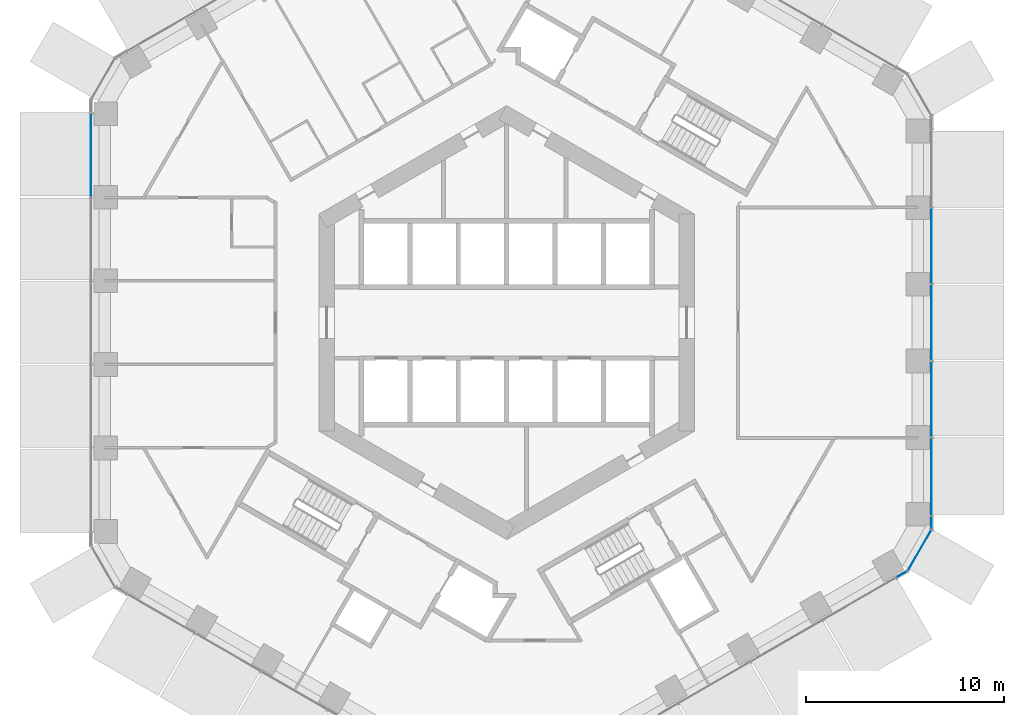
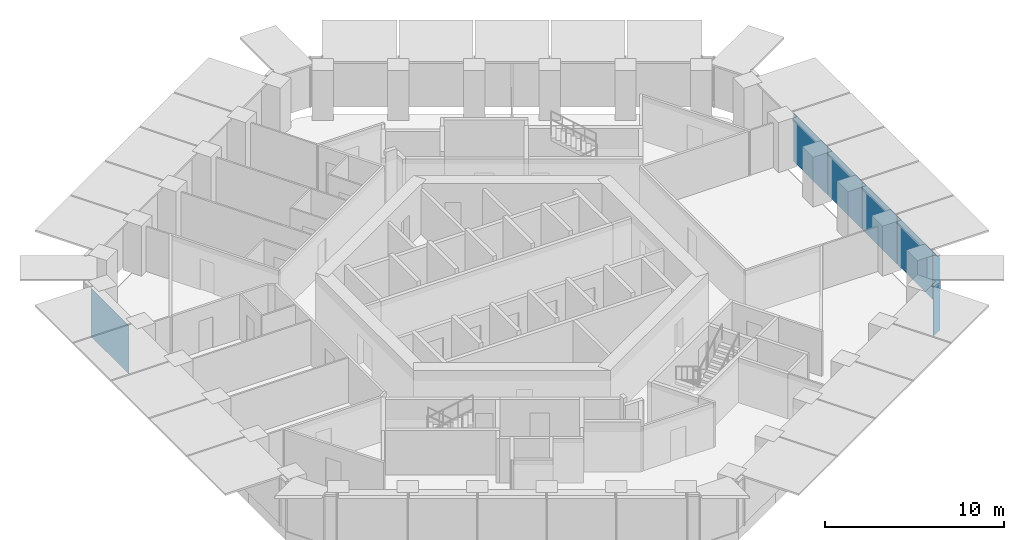
# One storey, part 10 of 19: 8 plates, 3 elements without a shape of their own.
"""IFC4 building model written with IfcOpenShell, lengths in metres."""

from ifc_helpers import new_model, si_unit, direction, frame, origin, origin_2d, place, context, subcontext, project, spatial, rectangle, extrude, material, layer, layer_set, type_object, element, aggregate, save


model = new_model("IFC4")

# Units and contexts
model_context = context("Model", 3, precision=1e-05, world=origin(), true_north=direction((0.0, 1.0)))
body_context = subcontext(model_context, "Body", "Model", "MODEL_VIEW")
ifc_project = project(units=[si_unit("LENGTHUNIT", "METRE"), si_unit("AREAUNIT", "SQUARE_METRE"), si_unit("VOLUMEUNIT", "CUBIC_METRE"), si_unit("PLANEANGLEUNIT", "RADIAN"), si_unit("MASSUNIT", "GRAM", prefix="KILO")], contexts=[model_context])

# Site, building, storey
site_placement = place(None, origin())
site = spatial("IfcSite", under=ifc_project, at=site_placement, CompositionType="ELEMENT")
building_placement = place(site_placement, origin())
building = spatial("IfcBuilding", under=site, at=building_placement, Name="Ayvan Gate Tower", CompositionType="ELEMENT")
storey_placement = place(building_placement, frame((0.0, 0.0, 52.699951171875)))
storey = spatial("IfcBuildingStorey", under=building, at=storey_placement, Name="L13", CompositionType="ELEMENT", Elevation=52.699951171875)

# Curtain wall, plate
ifc_material_1 = material(Name="Bronze anodised aluminium", Category="aluminium")
ifc_layer_1 = layer(ifc_material_1, 0.199951171875)
ifc_layer_set_1 = layer_set([ifc_layer_1], Name="Bronze anodised aluminium")
curtain_wall_type_1 = type_object("IfcCurtainWallType", Name="Stick curtain wall CW-1", PredefinedType="NOTDEFINED", material=ifc_layer_set_1)
curtain_wall_1_placement = place(storey_placement, origin())
curtain_wall_1 = element("IfcCurtainWall", 1, at=curtain_wall_1_placement, inside=storey, type_object=curtain_wall_type_1, Name="Stick curtain wall CW-1 L13", PredefinedType="NOTDEFINED")
ifc_material_2 = material(Name="Clear low-iron laminated glass", Category="glass")
ifc_layer_2 = layer(ifc_material_2, 0.028076171875)
ifc_layer_set_2 = layer_set([ifc_layer_2], Name="Clear low-iron laminated glass")
plate_type_1 = type_object("IfcPlateType", Name="Stick curtain wall CW-1 glass panel", PredefinedType="CURTAIN_PANEL", material=ifc_layer_set_2)
plate_1_placement = place(storey_placement, frame((-21.009765625, 8.484619140625, 0.0), z_axis=(0.0, 0.0, 1.0), x_axis=(0.0, -1.0, 0.0)))
plate_1 = element("IfcPlate", 2, at=plate_1_placement, type_object=plate_type_1, Name="CW-1 glass panel 1", PredefinedType="CURTAIN_PANEL", context=body_context, shape_type="SweptSolid", body=[
    extrude(rectangle(XDim=4.239013671875, YDim=0.028076171875, at=origin_2d()), origin(), (0.0, 0.0, 1.0), 3.280029296875),
])
aggregate(curtain_wall_1, [plate_1])

# Curtain wall, plates
curtain_wall_2_placement = place(storey_placement, origin())
curtain_wall_2 = element("IfcCurtainWall", 3, at=curtain_wall_2_placement, inside=storey, type_object=curtain_wall_type_1, Name="Stick curtain wall CW-1 L13", PredefinedType="NOTDEFINED")
plate_2_placement = place(storey_placement, frame((21.484619140625, -7.811279296875, 0.0), z_axis=(0.0, 0.0, 1.0), x_axis=(0.0, 1.0, 0.0)))
plate_2 = element("IfcPlate", 4, at=plate_2_placement, type_object=plate_type_1, Name="CW-1 glass panel 1", PredefinedType="CURTAIN_PANEL", context=body_context, shape_type="SweptSolid", body=[
    extrude(rectangle(XDim=3.94091796875, YDim=0.028076171875, at=origin_2d()), origin(), (0.0, 0.0, 1.0), 3.280029296875),
])
plate_3_placement = place(storey_placement, frame((21.484619140625, -3.873779296875, 0.0), z_axis=(0.0, 0.0, 1.0), x_axis=(0.0, 1.0, 0.0)))
plate_3 = element("IfcPlate", 5, at=plate_3_placement, type_object=plate_type_1, Name="CW-1 glass panel 2", PredefinedType="CURTAIN_PANEL", context=body_context, shape_type="SweptSolid", body=[
    extrude(rectangle(XDim=3.81396484375, YDim=0.028076171875, at=origin_2d()), origin(), (0.0, 0.0, 1.0), 3.280029296875),
])
plate_4_placement = place(storey_placement, frame((21.484619140625, 0.0, 0.0), z_axis=(0.0, 0.0, 1.0), x_axis=(0.0, 1.0, 0.0)))
plate_4 = element("IfcPlate", 6, at=plate_4_placement, type_object=plate_type_1, Name="CW-1 glass panel 3", PredefinedType="CURTAIN_PANEL", context=body_context, shape_type="SweptSolid", body=[
    extrude(rectangle(XDim=3.81396484375, YDim=0.028076171875, at=origin_2d()), origin(), (0.0, 0.0, 1.0), 3.280029296875),
])
plate_5_placement = place(storey_placement, frame((21.484619140625, 3.8740234375, 0.0), z_axis=(0.0, 0.0, 1.0), x_axis=(0.0, 1.0, 0.0)))
plate_5 = element("IfcPlate", 7, at=plate_5_placement, type_object=plate_type_1, Name="CW-1 glass panel 4", PredefinedType="CURTAIN_PANEL", context=body_context, shape_type="SweptSolid", body=[
    extrude(rectangle(XDim=3.81396484375, YDim=0.028076171875, at=origin_2d()), origin(), (0.0, 0.0, 1.0), 3.280029296875),
])
aggregate(curtain_wall_2, [plate_2, plate_3, plate_4, plate_5])

ifc_layer_3 = layer(ifc_material_1, 0.199951171875)
ifc_layer_set_3 = layer_set([ifc_layer_3], Name="Bronze anodised aluminium")
curtain_wall_type_2 = type_object("IfcCurtainWallType", Name="Stick curtain wall CW-6", PredefinedType="NOTDEFINED", material=ifc_layer_set_3)
curtain_wall_3_placement = place(storey_placement, origin())
curtain_wall_3 = element("IfcCurtainWall", 8, at=curtain_wall_3_placement, inside=storey, type_object=curtain_wall_type_2, Name="Stick curtain wall CW-6 L13", PredefinedType="NOTDEFINED")
ifc_layer_4 = layer(ifc_material_2, 0.028076171875)
ifc_layer_set_4 = layer_set([ifc_layer_4], Name="Clear low-iron laminated glass")
plate_type_2 = type_object("IfcPlateType", Name="Stick curtain wall CW-6 glass panel", PredefinedType="CURTAIN_PANEL", material=ifc_layer_set_4)
plate_6_placement = place(storey_placement, frame((19.985107421875, -12.7216796875, 0.0), z_axis=(0.0, 0.0, 1.0), x_axis=(0.866025403784, 0.5, 0.0)))
plate_6 = element("IfcPlate", 9, at=plate_6_placement, type_object=plate_type_2, Name="CW-6 glass panel 1", PredefinedType="CURTAIN_PANEL", context=body_context, shape_type="SweptSolid", body=[
    extrude(rectangle(XDim=0.625, YDim=0.028076171875, at=origin_2d()), origin(), (0.0, 0.0, 1.0), 3.280029296875),
])
plate_7_placement = place(storey_placement, frame((20.880859375, -11.50732421875, 0.0), z_axis=(0.0, 0.0, 1.0), x_axis=(0.5, 0.866025403784, 0.0)))
plate_7 = element("IfcPlate", 10, at=plate_7_placement, type_object=plate_type_2, Name="CW-6 glass panel 2", PredefinedType="CURTAIN_PANEL", context=body_context, shape_type="SweptSolid", body=[
    extrude(rectangle(XDim=2.364501953125, YDim=0.028076171875, at=origin_2d()), origin(), (0.0, 0.0, 1.0), 3.280029296875),
])
plate_8_placement = place(storey_placement, frame((21.484619140625, -10.124267578125, 0.0), z_axis=(0.0, 0.0, 1.0), x_axis=(0.0, 1.0, 0.0)))
plate_8 = element("IfcPlate", 11, at=plate_8_placement, type_object=plate_type_2, Name="CW-6 glass panel 3", PredefinedType="CURTAIN_PANEL", context=body_context, shape_type="SweptSolid", body=[
    extrude(rectangle(XDim=0.625, YDim=0.028076171875, at=origin_2d()), origin(), (0.0, 0.0, 1.0), 3.280029296875),
])
aggregate(curtain_wall_3, [plate_6, plate_7, plate_8])

save(model, "model.ifc")
